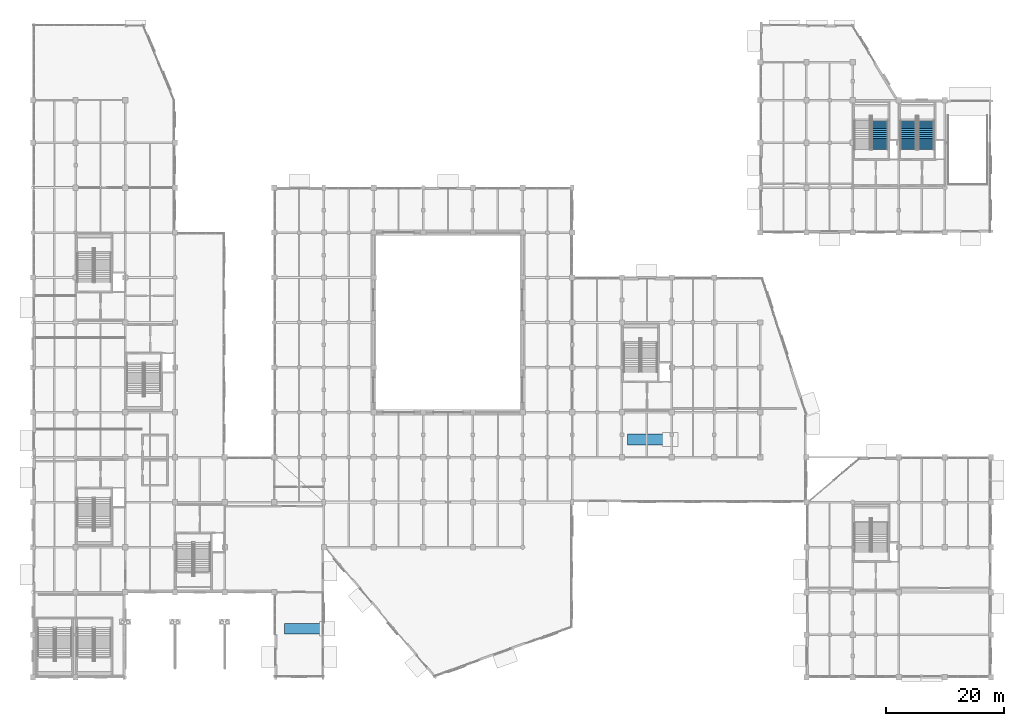
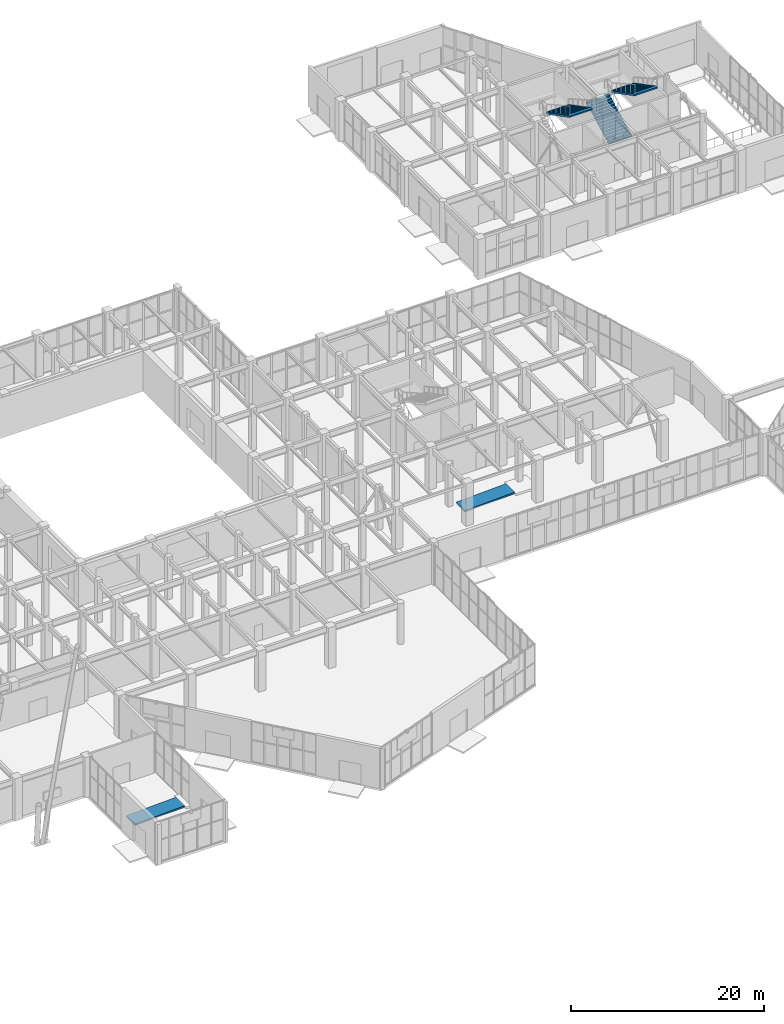
# One storey, part 128 of 139: 3 stair flights, 2 ramp flights, 4 elements without a shape of their own.
"""IFC4 building model written with IfcOpenShell, lengths in metres."""

from ifc_helpers import new_model, si_unit, direction, frame, origin, place, context, subcontext, project, spatial, polyline, outline, extrude, material, type_object, element, aggregate, save


model = new_model("IFC4")

# Units and contexts
model_context = context("Model", 3, precision=1e-05, world=origin(), true_north=direction((0.0, 1.0)))
body_context = subcontext(model_context, "Body", "Model", "MODEL_VIEW")
ifc_project = project(units=[si_unit("LENGTHUNIT", "METRE"), si_unit("AREAUNIT", "SQUARE_METRE"), si_unit("VOLUMEUNIT", "CUBIC_METRE"), si_unit("PLANEANGLEUNIT", "RADIAN"), si_unit("MASSUNIT", "GRAM", prefix="KILO")], contexts=[model_context])

# Site, building, storey
site_placement = place(None, origin())
site = spatial("IfcSite", under=ifc_project, at=site_placement, CompositionType="ELEMENT")
building_placement = place(site_placement, origin())
building = spatial("IfcBuilding", under=site, at=building_placement, Name="Xicomal Pleat Aquarium", CompositionType="ELEMENT")
storey_placement = place(building_placement, origin())
storey = spatial("IfcBuildingStorey", under=building, at=storey_placement, Name="L01", CompositionType="ELEMENT", Elevation=0.0)

# Stair, stair flight
ifc_material_1 = material(Name="Concrete C35/45", Category="concrete")
stair_type = type_object("IfcStairType", Name="STR-HT-5400-2400", PredefinedType="HALF_TURN_STAIR", material=ifc_material_1)
stair_1_placement = place(storey_placement, origin())
stair_1 = element("IfcStair", 1, at=stair_1_placement, inside=storey, type_object=stair_type, Name="ST-05 fire exit stair L01 to L02", PredefinedType="HALF_TURN_STAIR")
ifc_material_2 = material(Name="Concrete C35/45", Category="concrete")
stair_flight_type = type_object("IfcStairFlightType", Name="STF-5400-2400", PredefinedType="STRAIGHT", material=ifc_material_2)
stair_flight_1_placement = place(storey_placement, frame((146.25, 94.85009765625, 2.699951171875), z_axis=(0.0, 0.0, 1.0), x_axis=(0.0, -1.0, 0.0)))
stair_flight_1 = element("IfcStairFlight", 2, at=stair_flight_1_placement, type_object=stair_flight_type, Name="ST-05 flight 2", NumberOfRisers=16, NumberOfTreads=15, PredefinedType="STRAIGHT", RiserHeight=0.16875, TreadLength=0.322, context=body_context, shape_type="SweptSolid", body=[
    extrude(outline(polyline([(0.0, 0.0), (0.0, 0.168701171875), (0.322021484375, 0.168701171875), (0.322021484375, 0.33740234375), (0.64404296875, 0.33740234375), (0.64404296875, 0.50634765625), (0.966064453125, 0.50634765625), (0.966064453125, 0.675048828125), (1.2880859375, 0.675048828125), (1.2880859375, 0.84375), (1.610107421875, 0.84375), (1.610107421875, 1.012451171875), (1.931884765625, 1.012451171875), (1.931884765625, 1.18115234375), (2.25390625, 1.18115234375), (2.25390625, 1.35009765625), (2.575927734375, 1.35009765625), (2.575927734375, 1.518798828125), (2.89794921875, 1.518798828125), (2.89794921875, 1.6875), (3.219970703125, 1.6875), (3.219970703125, 1.856201171875), (3.5419921875, 1.856201171875), (3.5419921875, 2.02490234375), (3.864013671875, 2.02490234375), (3.864013671875, 2.19384765625), (4.18603515625, 2.19384765625), (4.18603515625, 2.362548828125), (4.508056640625, 2.362548828125), (4.508056640625, 2.53125), (4.830078125, 2.53125), (4.830078125, 2.699951171875), (4.830078125, 2.350830078125), (0.344482421875, 0.0), (0.0, 0.0)])), frame((0.0, 1.3701171875, 0.0), z_axis=(0.0, -1.0, 0.0), x_axis=(1.0, 0.0, 0.0)), (0.0, 0.0, 1.0), 2.739990234375),
])
aggregate(stair_1, [stair_flight_1])

# Stair, stair flights
stair_2_placement = place(storey_placement, origin())
stair_2 = element("IfcStair", 3, at=stair_2_placement, inside=storey, type_object=stair_type, Name="ST-06 fire exit stair L01 to L02", PredefinedType="HALF_TURN_STAIR")
stair_flight_2_placement = place(storey_placement, frame((151.010009765625, 90.02001953125, 0.0), z_axis=(0.0, 0.0, 1.0), x_axis=(0.0, 1.0, 0.0)))
stair_flight_2 = element("IfcStairFlight", 4, at=stair_flight_2_placement, type_object=stair_flight_type, Name="ST-06 flight 1", NumberOfRisers=16, NumberOfTreads=15, PredefinedType="STRAIGHT", RiserHeight=0.16875, TreadLength=0.322, context=body_context, shape_type="SweptSolid", body=[
    extrude(outline(polyline([(0.0, 0.0), (0.0, 0.168701171875), (0.322021484375, 0.168701171875), (0.322021484375, 0.33740234375), (0.64404296875, 0.33740234375), (0.64404296875, 0.50634765625), (0.966064453125, 0.50634765625), (0.966064453125, 0.675048828125), (1.2880859375, 0.675048828125), (1.2880859375, 0.84375), (1.610107421875, 0.84375), (1.610107421875, 1.012451171875), (1.931884765625, 1.012451171875), (1.931884765625, 1.18115234375), (2.25390625, 1.18115234375), (2.25390625, 1.35009765625), (2.575927734375, 1.35009765625), (2.575927734375, 1.518798828125), (2.89794921875, 1.518798828125), (2.89794921875, 1.6875), (3.219970703125, 1.6875), (3.219970703125, 1.856201171875), (3.5419921875, 1.856201171875), (3.5419921875, 2.02490234375), (3.864013671875, 2.02490234375), (3.864013671875, 2.19384765625), (4.18603515625, 2.19384765625), (4.18603515625, 2.362548828125), (4.508056640625, 2.362548828125), (4.508056640625, 2.53125), (4.830078125, 2.53125), (4.830078125, 2.699951171875), (4.830078125, 2.350830078125), (0.344482421875, 0.0), (0.0, 0.0)])), frame((0.0, 1.3701171875, 0.0), z_axis=(0.0, -1.0, 0.0), x_axis=(1.0, 0.0, 0.0)), (0.0, 0.0, 1.0), 2.739990234375),
])
stair_flight_3_placement = place(storey_placement, frame((154.050048828125, 94.85009765625, 2.699951171875), z_axis=(0.0, 0.0, 1.0), x_axis=(0.0, -1.0, 0.0)))
stair_flight_3 = element("IfcStairFlight", 5, at=stair_flight_3_placement, type_object=stair_flight_type, Name="ST-06 flight 2", NumberOfRisers=16, NumberOfTreads=15, PredefinedType="STRAIGHT", RiserHeight=0.16875, TreadLength=0.322, context=body_context, shape_type="SweptSolid", body=[
    extrude(outline(polyline([(0.0, 0.0), (0.0, 0.168701171875), (0.322021484375, 0.168701171875), (0.322021484375, 0.33740234375), (0.64404296875, 0.33740234375), (0.64404296875, 0.50634765625), (0.966064453125, 0.50634765625), (0.966064453125, 0.675048828125), (1.2880859375, 0.675048828125), (1.2880859375, 0.84375), (1.610107421875, 0.84375), (1.610107421875, 1.012451171875), (1.931884765625, 1.012451171875), (1.931884765625, 1.18115234375), (2.25390625, 1.18115234375), (2.25390625, 1.35009765625), (2.575927734375, 1.35009765625), (2.575927734375, 1.518798828125), (2.89794921875, 1.518798828125), (2.89794921875, 1.6875), (3.219970703125, 1.6875), (3.219970703125, 1.856201171875), (3.5419921875, 1.856201171875), (3.5419921875, 2.02490234375), (3.864013671875, 2.02490234375), (3.864013671875, 2.19384765625), (4.18603515625, 2.19384765625), (4.18603515625, 2.362548828125), (4.508056640625, 2.362548828125), (4.508056640625, 2.53125), (4.830078125, 2.53125), (4.830078125, 2.699951171875), (4.830078125, 2.350830078125), (0.344482421875, 0.0), (0.0, 0.0)])), frame((0.0, 1.3701171875, 0.0), z_axis=(0.0, -1.0, 0.0), x_axis=(1.0, 0.0, 0.0)), (0.0, 0.0, 1.0), 2.739990234375),
])
aggregate(stair_2, [stair_flight_2, stair_flight_3])

# Ramp, ramp flight
ifc_material_3 = material(Name="Concrete C35/45", Category="concrete")
ramp_type = type_object("IfcRampType", Name="RMP-PED-1800", PredefinedType="STRAIGHT_RUN_RAMP", material=ifc_material_3)
ramp_1_placement = place(storey_placement, origin())
ramp_1 = element("IfcRamp", 6, at=ramp_1_placement, inside=storey, type_object=ramp_type, Name="Accessible pedestrian gallery ramp PR-02", PredefinedType="STRAIGHT_RUN_RAMP")
ifc_material_4 = material(Name="Concrete C35/45", Category="concrete")
ramp_flight_type = type_object("IfcRampFlightType", Name="RMPF-PED-200", PredefinedType="STRAIGHT", material=ifc_material_4)
ramp_flight_1_placement = place(storey_placement, frame((45.5, 9.0, 0.0), z_axis=(0.0, 0.0, 1.0), x_axis=(1.0, 0.0, 0.0)))
ramp_flight_1 = element("IfcRampFlight", 7, at=ramp_flight_1_placement, type_object=ramp_flight_type, Name="Accessible pedestrian ramp flight PR-02", PredefinedType="STRAIGHT", context=body_context, shape_type="SweptSolid", body=[
    extrude(outline(polyline([(0.0, 0.0), (6.0, 0.25), (6.0, 0.050048828125), (0.0, -0.199951171875), (0.0, 0.0)])), frame((0.0, 0.89990234375, 0.0), z_axis=(0.0, -1.0, 0.0), x_axis=(1.0, 0.0, 0.0)), (0.0, 0.0, 1.0), 1.800048828125),
])
aggregate(ramp_1, [ramp_flight_1])

ramp_2_placement = place(storey_placement, origin())
ramp_2 = element("IfcRamp", 8, at=ramp_2_placement, inside=storey, type_object=ramp_type, Name="Accessible pedestrian gallery ramp PR-03", PredefinedType="STRAIGHT_RUN_RAMP")
ramp_flight_2_placement = place(storey_placement, frame((103.5, 41.0, 0.0), z_axis=(0.0, 0.0, 1.0), x_axis=(1.0, 0.0, 0.0)))
ramp_flight_2 = element("IfcRampFlight", 9, at=ramp_flight_2_placement, type_object=ramp_flight_type, Name="Accessible pedestrian ramp flight PR-03", PredefinedType="STRAIGHT", context=body_context, shape_type="SweptSolid", body=[
    extrude(outline(polyline([(0.0, 0.0), (6.0, 0.25), (6.0, 0.050048828125), (0.0, -0.199951171875), (0.0, 0.0)])), frame((0.0, 0.89990234375, 0.0), z_axis=(0.0, -1.0, 0.0), x_axis=(1.0, 0.0, 0.0)), (0.0, 0.0, 1.0), 1.800048828125),
])
aggregate(ramp_2, [ramp_flight_2])

save(model, "model.ifc")
